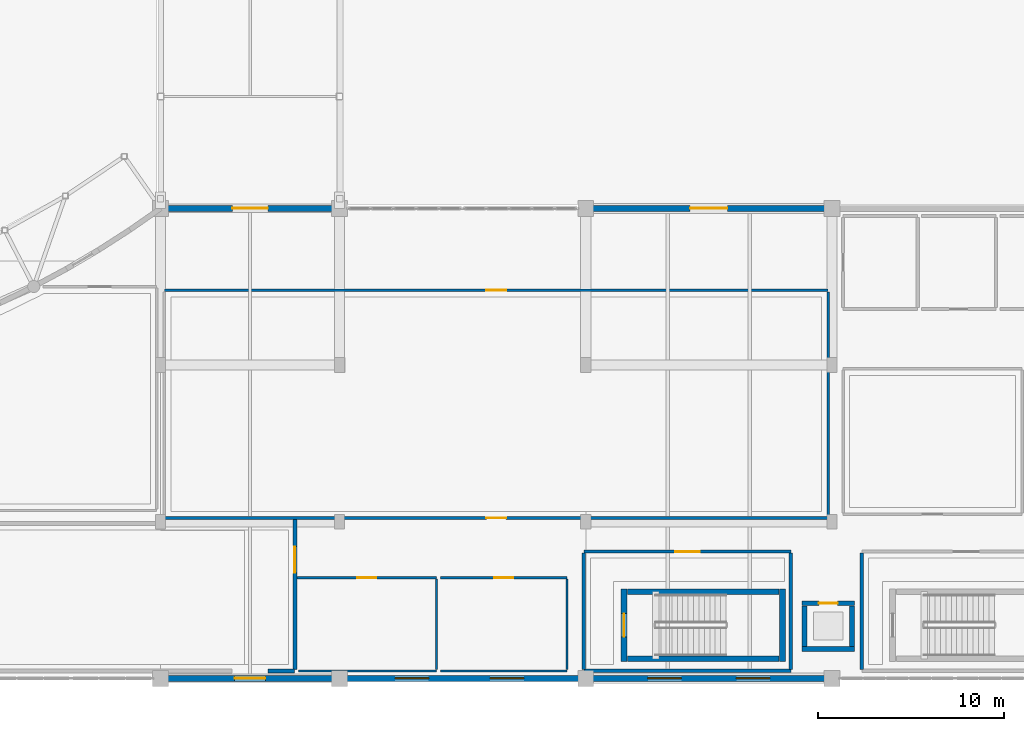
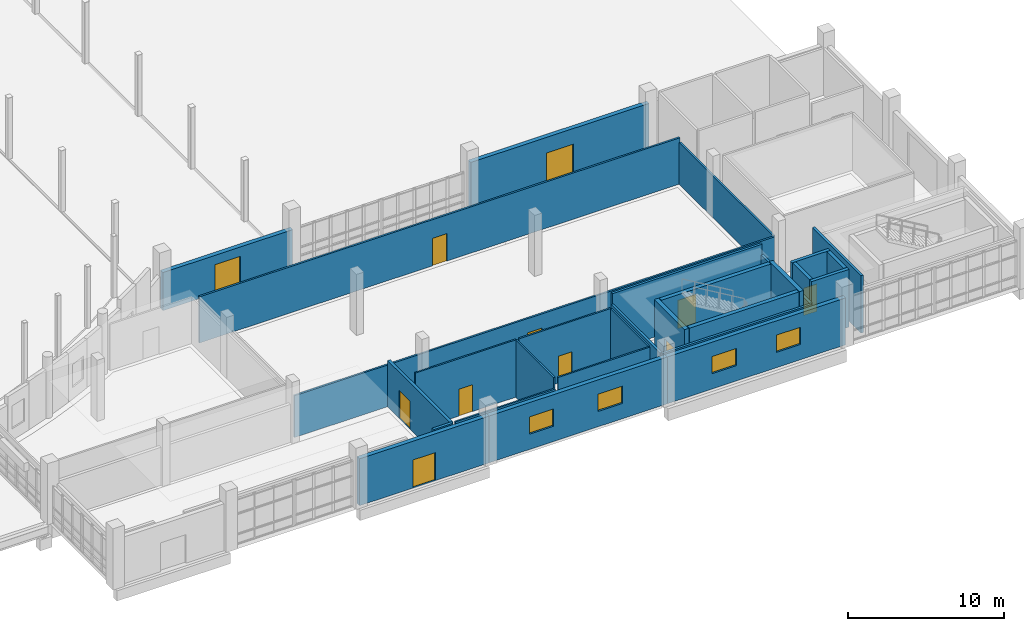
# One storey, part 70 of 97: 29 walls, 11 doors, 4 windows, 15 openings.
"""IFC4 building model written with IfcOpenShell, lengths in metres."""

from ifc_helpers import new_model, si_unit, direction, frame, frame_2d, origin, place, context, subcontext, project, spatial, rectangle, extrude, material, layer, layer_set, type_object, element, fill, save


model = new_model("IFC4")

# Units and contexts
model_context = context("Model", 3, precision=1e-05, world=origin(), true_north=direction((0.0, 1.0)))
body_context = subcontext(model_context, "Body", "Model", "MODEL_VIEW")
ifc_project = project(units=[si_unit("LENGTHUNIT", "METRE"), si_unit("AREAUNIT", "SQUARE_METRE"), si_unit("VOLUMEUNIT", "CUBIC_METRE"), si_unit("PLANEANGLEUNIT", "RADIAN"), si_unit("MASSUNIT", "GRAM", prefix="KILO")], contexts=[model_context])

# Site, building, storey
site_placement = place(None, origin())
site = spatial("IfcSite", under=ifc_project, at=site_placement, CompositionType="ELEMENT")
building_placement = place(site_placement, origin())
building = spatial("IfcBuilding", under=site, at=building_placement, Name="Kisaragi Civic Commons", CompositionType="ELEMENT")
storey_placement = place(building_placement, origin())
storey = spatial("IfcBuildingStorey", under=building, at=storey_placement, Name="L00", CompositionType="ELEMENT", Elevation=0.0)

# Wall, opening, door
ifc_material_1 = material(Name="Insulated Tokoname terracotta cavity wall", Category="masonry")
ifc_layer_1 = layer(ifc_material_1, 0.320068359375, Name="Insulated Tokoname terracotta cavity wall", Category="masonry")
ifc_layer_set_1 = layer_set([ifc_layer_1], Name="Insulated Tokoname terracotta cavity wall")
wall_type_1 = type_object("IfcWallType", Name="EW-01", PredefinedType="STANDARD", material=ifc_layer_set_1)
wall_1_placement = place(storey_placement, frame((123.60009765625, 25.199951171875, 0.0), z_axis=(0.0, 0.0, 1.0), x_axis=(1.0, 0.0, 0.0)))
wall_1 = element("IfcWall", 1, at=wall_1_placement, inside=storey, type_object=wall_type_1, Name="V3 L00 exterior terracotta wall EW-01 249", PredefinedType="STANDARD", context=body_context, shape_type="SweptSolid", body=[
    extrude(rectangle(XDim=9.599853515625, YDim=0.320068359375, at=frame_2d((4.7998046875, 0.0))), origin(), (0.0, 0.0, 1.0), 2.97998046875),
])
opening_1_placement = place(wall_1_placement, frame((3.85009765625, 0.0, 0.0)))
opening_1 = element("IfcOpeningElement", 2, at=opening_1_placement, cuts=wall_1, Name="Opening ED-F", PredefinedType="OPENING", context=body_context, shape_type="SweptSolid", body=[
    extrude(rectangle(XDim=1.89990234375, YDim=2.25, at=frame_2d((0.949951171875, 1.125))), frame((0.0, 0.169921875, 0.0), z_axis=(0.0, -1.0, 0.0), x_axis=(1.0, 0.0, 0.0)), (0.0, 0.0, 1.0), 0.340087890625),
])
ifc_material_2 = material(Name="Thermally broken anodized aluminium glazed exit door", Category="aluminium")
door_type_1 = type_object("IfcDoorType", Name="ED-F", OperationType="NOTDEFINED", PredefinedType="DOOR", material=ifc_material_2)
door_1_placement = place(opening_1_placement, origin())
door_1 = element("IfcDoor", 3, at=door_1_placement, inside=storey, type_object=door_type_1, Name="Ground exterior exit and veranda door ED-F 12", OperationType="DOUBLE_DOOR_SINGLE_SWING", OverallHeight=2.25, OverallWidth=1.89990234375, PredefinedType="DOOR", context=body_context, shape_type="SweptSolid", body=[
    extrude(rectangle(XDim=1.89990234375, YDim=2.25, at=frame_2d((0.949951171875, 1.125))), frame((0.0, 0.02490234375, 0.0), z_axis=(0.0, -1.0, 0.0), x_axis=(1.0, 0.0, 0.0)), (0.0, 0.0, 1.0), 0.050048828125),
])
fill(opening_1, door_1)

wall_2_placement = place(storey_placement, frame((146.39990234375, 25.199951171875, 0.0), z_axis=(0.0, 0.0, 1.0), x_axis=(1.0, 0.0, 0.0)))
wall_2 = element("IfcWall", 4, at=wall_2_placement, inside=storey, type_object=wall_type_1, Name="V3 L00 exterior terracotta wall EW-01 250", PredefinedType="STANDARD", context=body_context, shape_type="SweptSolid", body=[
    extrude(rectangle(XDim=13.2001953125, YDim=0.320068359375, at=frame_2d((6.60009765625, 0.0))), origin(), (0.0, 0.0, 1.0), 3.6201171875),
])
opening_2_placement = place(wall_2_placement, frame((5.60009765625, 0.0, 0.0)))
opening_2 = element("IfcOpeningElement", 5, at=opening_2_placement, cuts=wall_2, Name="Opening ED-A", PredefinedType="OPENING", context=body_context, shape_type="SweptSolid", body=[
    extrude(rectangle(XDim=2.0, YDim=2.39990234375, at=frame_2d((1.0, 1.199951171875))), frame((0.0, 0.169921875, 0.0), z_axis=(0.0, -1.0, 0.0), x_axis=(1.0, 0.0, 0.0)), (0.0, 0.0, 1.0), 0.340087890625),
])
door_type_2 = type_object("IfcDoorType", Name="ED-A", OperationType="NOTDEFINED", PredefinedType="DOOR", material=ifc_material_2)
door_2_placement = place(opening_2_placement, origin())
door_2 = element("IfcDoor", 6, at=door_2_placement, inside=storey, type_object=door_type_2, Name="Ground exterior exit and veranda door ED-A 13", OperationType="DOUBLE_DOOR_SINGLE_SWING", OverallHeight=2.39990234375, OverallWidth=2.0, PredefinedType="DOOR", context=body_context, shape_type="SweptSolid", body=[
    extrude(rectangle(XDim=2.0, YDim=2.39990234375, at=frame_2d((1.0, 1.199951171875))), frame((0.0, 0.02490234375, 0.0), z_axis=(0.0, -1.0, 0.0), x_axis=(1.0, 0.0, 0.0)), (0.0, 0.0, 1.0), 0.050048828125),
])
fill(opening_2, door_2)

# Wall, openings, windows
wall_3_placement = place(storey_placement, frame((159.60009765625, 0.0, 0.0), z_axis=(0.0, 0.0, 1.0), x_axis=(-1.0, 0.0, 0.0)))
wall_3 = element("IfcWall", 7, at=wall_3_placement, inside=storey, type_object=wall_type_1, Name="V3 L00 exterior terracotta wall EW-01 255", PredefinedType="STANDARD", context=body_context, shape_type="SweptSolid", body=[
    extrude(rectangle(XDim=13.2001953125, YDim=0.320068359375, at=frame_2d((6.60009765625, 0.0))), origin(), (0.0, 0.0, 1.0), 3.669921875),
])
opening_3_placement = place(wall_3_placement, frame((3.323974609375, 0.0, 1.199951171875)))
opening_3 = element("IfcOpeningElement", 8, at=opening_3_placement, cuts=wall_3, Name="Opening W-08", PredefinedType="OPENING", context=body_context, shape_type="SweptSolid", body=[
    extrude(rectangle(XDim=1.800048828125, YDim=1.35009765625, at=frame_2d((0.89990234375, 0.675048828125))), frame((0.0, 0.169921875, 0.0), z_axis=(0.0, -1.0, 0.0), x_axis=(1.0, 0.0, 0.0)), (0.0, 0.0, 1.0), 0.340087890625),
])
opening_4_placement = place(wall_3_placement, frame((8.075927734375, 0.0, 1.199951171875)))
opening_4 = element("IfcOpeningElement", 9, at=opening_4_placement, cuts=wall_3, Name="Opening W-08", PredefinedType="OPENING", context=body_context, shape_type="SweptSolid", body=[
    extrude(rectangle(XDim=1.800048828125, YDim=1.35009765625, at=frame_2d((0.89990234375, 0.675048828125))), frame((0.0, 0.169921875, 0.0), z_axis=(0.0, -1.0, 0.0), x_axis=(1.0, 0.0, 0.0)), (0.0, 0.0, 1.0), 0.340087890625),
])
ifc_material_3 = material(Name="Thermally broken aluminium frame and low-E argon double glazing", Category="aluminium")
window_type = type_object("IfcWindowType", Name="W-08", PartitioningType="SINGLE_PANEL", PredefinedType="WINDOW", material=ifc_material_3)
window_1_placement = place(opening_3_placement, origin())
window_1 = element("IfcWindow", 10, at=window_1_placement, inside=storey, type_object=window_type, Name="V3 L00 window W-08 76", OverallHeight=1.35009765625, OverallWidth=1.800048828125, PartitioningType="SINGLE_PANEL", PredefinedType="WINDOW", context=body_context, shape_type="SweptSolid", body=[
    extrude(rectangle(XDim=1.800048828125, YDim=1.35009765625, at=frame_2d((0.89990234375, 0.675048828125))), frame((0.0, 0.030029296875, 0.0), z_axis=(0.0, -1.0, 0.0), x_axis=(1.0, 0.0, 0.0)), (0.0, 0.0, 1.0), 0.06005859375),
])
fill(opening_3, window_1)
window_2_placement = place(opening_4_placement, origin())
window_2 = element("IfcWindow", 11, at=window_2_placement, inside=storey, type_object=window_type, Name="V3 L00 window W-08 77", OverallHeight=1.35009765625, OverallWidth=1.800048828125, PartitioningType="SINGLE_PANEL", PredefinedType="WINDOW", context=body_context, shape_type="SweptSolid", body=[
    extrude(rectangle(XDim=1.800048828125, YDim=1.35009765625, at=frame_2d((0.89990234375, 0.675048828125))), frame((0.0, 0.030029296875, 0.0), z_axis=(0.0, -1.0, 0.0), x_axis=(1.0, 0.0, 0.0)), (0.0, 0.0, 1.0), 0.06005859375),
])
fill(opening_4, window_2)

wall_4_placement = place(storey_placement, frame((146.39990234375, 0.0, 0.0), z_axis=(0.0, 0.0, 1.0), x_axis=(-1.0, 0.0, 0.0)))
wall_4 = element("IfcWall", 12, at=wall_4_placement, inside=storey, type_object=wall_type_1, Name="V3 L00 exterior terracotta wall EW-01 256", PredefinedType="STANDARD", context=body_context, shape_type="SweptSolid", body=[
    extrude(rectangle(XDim=13.199951171875, YDim=0.320068359375, at=frame_2d((6.60009765625, 0.0))), origin(), (0.0, 0.0, 1.0), 3.669921875),
])
opening_5_placement = place(wall_4_placement, frame((3.323974609375, 0.0, 1.199951171875)))
opening_5 = element("IfcOpeningElement", 13, at=opening_5_placement, cuts=wall_4, Name="Opening W-08", PredefinedType="OPENING", context=body_context, shape_type="SweptSolid", body=[
    extrude(rectangle(XDim=1.800048828125, YDim=1.35009765625, at=frame_2d((0.89990234375, 0.675048828125))), frame((0.0, 0.169921875, 0.0), z_axis=(0.0, -1.0, 0.0), x_axis=(1.0, 0.0, 0.0)), (0.0, 0.0, 1.0), 0.340087890625),
])
opening_6_placement = place(wall_4_placement, frame((8.426025390625, 0.0, 1.199951171875)))
opening_6 = element("IfcOpeningElement", 14, at=opening_6_placement, cuts=wall_4, Name="Opening W-08", PredefinedType="OPENING", context=body_context, shape_type="SweptSolid", body=[
    extrude(rectangle(XDim=1.800048828125, YDim=1.35009765625, at=frame_2d((0.89990234375, 0.675048828125))), frame((0.0, 0.169921875, 0.0), z_axis=(0.0, -1.0, 0.0), x_axis=(1.0, 0.0, 0.0)), (0.0, 0.0, 1.0), 0.340087890625),
])
window_3_placement = place(opening_5_placement, origin())
window_3 = element("IfcWindow", 15, at=window_3_placement, inside=storey, type_object=window_type, Name="V3 L00 window W-08 78", OverallHeight=1.35009765625, OverallWidth=1.800048828125, PartitioningType="SINGLE_PANEL", PredefinedType="WINDOW", context=body_context, shape_type="SweptSolid", body=[
    extrude(rectangle(XDim=1.800048828125, YDim=1.35009765625, at=frame_2d((0.89990234375, 0.675048828125))), frame((0.0, 0.030029296875, 0.0), z_axis=(0.0, -1.0, 0.0), x_axis=(1.0, 0.0, 0.0)), (0.0, 0.0, 1.0), 0.06005859375),
])
fill(opening_5, window_3)
window_4_placement = place(opening_6_placement, origin())
window_4 = element("IfcWindow", 16, at=window_4_placement, inside=storey, type_object=window_type, Name="V3 L00 window W-08 79", OverallHeight=1.35009765625, OverallWidth=1.800048828125, PartitioningType="SINGLE_PANEL", PredefinedType="WINDOW", context=body_context, shape_type="SweptSolid", body=[
    extrude(rectangle(XDim=1.800048828125, YDim=1.35009765625, at=frame_2d((0.89990234375, 0.675048828125))), frame((0.0, 0.030029296875, 0.0), z_axis=(0.0, -1.0, 0.0), x_axis=(1.0, 0.0, 0.0)), (0.0, 0.0, 1.0), 0.06005859375),
])
fill(opening_6, window_4)

# Wall, opening, door
wall_5_placement = place(storey_placement, frame((133.199951171875, 0.0, 0.0), z_axis=(0.0, 0.0, 1.0), x_axis=(-1.0, 0.0, 0.0)))
wall_5 = element("IfcWall", 17, at=wall_5_placement, inside=storey, type_object=wall_type_1, Name="V3 L00 exterior terracotta wall EW-01 257", PredefinedType="STANDARD", context=body_context, shape_type="SweptSolid", body=[
    extrude(rectangle(XDim=9.599853515625, YDim=0.320068359375, at=frame_2d((4.7998046875, 0.0))), origin(), (0.0, 0.0, 1.0), 3.669921875),
])
opening_7_placement = place(wall_5_placement, frame((3.97509765625, 0.0, 0.0)))
opening_7 = element("IfcOpeningElement", 18, at=opening_7_placement, cuts=wall_5, Name="Opening ED-D", PredefinedType="OPENING", context=body_context, shape_type="SweptSolid", body=[
    extrude(rectangle(XDim=1.64990234375, YDim=2.199951171875, at=frame_2d((0.824951171875, 1.10009765625))), frame((0.0, 0.169921875, 0.0), z_axis=(0.0, -1.0, 0.0), x_axis=(1.0, 0.0, 0.0)), (0.0, 0.0, 1.0), 0.340087890625),
])
door_type_3 = type_object("IfcDoorType", Name="ED-D", OperationType="NOTDEFINED", PredefinedType="DOOR", material=ifc_material_2)
door_3_placement = place(opening_7_placement, origin())
door_3 = element("IfcDoor", 19, at=door_3_placement, inside=storey, type_object=door_type_3, Name="Ground exterior exit and veranda door ED-D 14", OperationType="DOUBLE_DOOR_SINGLE_SWING", OverallHeight=2.199951171875, OverallWidth=1.64990234375, PredefinedType="DOOR", context=body_context, shape_type="SweptSolid", body=[
    extrude(rectangle(XDim=1.64990234375, YDim=2.199951171875, at=frame_2d((0.824951171875, 1.10009765625))), frame((0.0, 0.02490234375, 0.0), z_axis=(0.0, -1.0, 0.0), x_axis=(1.0, 0.0, 0.0)), (0.0, 0.0, 1.0), 0.050048828125),
])
fill(opening_7, door_3)

ifc_material_4 = material(Name="Fire-rated double gypsum board on steel studs with mineral wool", Category="steel")
ifc_layer_2 = layer(ifc_material_4, 0.177978515625, Name="Fire-rated double gypsum board on steel studs with mineral wool", Category="steel")
ifc_layer_set_2 = layer_set([ifc_layer_2], Name="Fire-rated double gypsum board on steel studs with mineral wool")
wall_type_2 = type_object("IfcWallType", Name="FW-02", PredefinedType="STANDARD", material=ifc_layer_set_2)
wall_6_placement = place(storey_placement, frame((146.304931640625, 6.800048828125, 0.0), z_axis=(0.0, 0.0, 1.0), x_axis=(1.0, 0.0, 0.0)))
wall_6 = element("IfcWall", 20, at=wall_6_placement, inside=storey, type_object=wall_type_2, Name="L00 D0-13 partition FW-02 36", PredefinedType="STANDARD", context=body_context, shape_type="SweptSolid", body=[
    extrude(rectangle(XDim=11.090087890625, YDim=0.177978515625, at=frame_2d((5.544921875, 0.0))), origin(), (0.0, 0.0, 1.0), 4.489990234375),
])
opening_8_placement = place(wall_6_placement, frame((4.885009765625, 0.0, 0.0)))
opening_8 = element("IfcOpeningElement", 21, at=opening_8_placement, cuts=wall_6, Name="Opening FD-04", PredefinedType="OPENING", context=body_context, shape_type="SweptSolid", body=[
    extrude(rectangle(XDim=1.320068359375, YDim=2.219970703125, at=frame_2d((0.66015625, 1.10986328125))), frame((0.0, 0.098876953125, 0.0), z_axis=(0.0, -1.0, 0.0), x_axis=(1.0, 0.0, 0.0)), (0.0, 0.0, 1.0), 0.197998046875),
])
ifc_material_5 = material(Name="Insulated fire-rated pressed steel door assembly", Category="steel")
door_type_4 = type_object("IfcDoorType", Name="FD-04", OperationType="NOTDEFINED", PredefinedType="DOOR", material=ifc_material_5)
door_4_placement = place(opening_8_placement, origin())
door_4 = element("IfcDoor", 22, at=door_4_placement, inside=storey, type_object=door_type_4, Name="Stair Exit Lobby South-West door FD-04", OperationType="DOUBLE_DOOR_SINGLE_SWING", OverallHeight=2.219970703125, OverallWidth=1.320068359375, PredefinedType="DOOR", context=body_context, shape_type="SweptSolid", body=[
    extrude(rectangle(XDim=1.320068359375, YDim=2.219970703125, at=frame_2d((0.66015625, 1.10986328125))), frame((0.0, 0.02490234375, 0.0), z_axis=(0.0, -1.0, 0.0), x_axis=(1.0, 0.0, 0.0)), (0.0, 0.0, 1.0), 0.050048828125),
])
fill(opening_8, door_4)

# Walls
wall_7_placement = place(storey_placement, frame((157.39990234375, 6.72509765625, 0.0), z_axis=(0.0, 0.0, 1.0), x_axis=(0.0, -1.0, 0.0)))
element("IfcWall", 23, at=wall_7_placement, inside=storey, type_object=wall_type_2, Name="L00 D0-13 partition FW-02 37", PredefinedType="STANDARD", context=body_context, shape_type="SweptSolid", body=[
    extrude(rectangle(XDim=6.25, YDim=0.177978515625, at=frame_2d((3.125, 0.0))), origin(), (0.0, 0.0, 1.0), 3.669921875),
])
wall_8_placement = place(storey_placement, frame((157.39501953125, 0.39990234375, 0.0), z_axis=(0.0, 0.0, 1.0), x_axis=(-1.0, 0.0, 0.0)))
element("IfcWall", 24, at=wall_8_placement, inside=storey, type_object=wall_type_2, Name="L00 D0-13 partition FW-02 38", PredefinedType="STANDARD", context=body_context, shape_type="SweptSolid", body=[
    extrude(rectangle(XDim=11.090087890625, YDim=0.177978515625, at=frame_2d((5.544921875, 0.0))), origin(), (0.0, 0.0, 1.0), 3.669921875),
])
wall_9_placement = place(storey_placement, frame((146.300048828125, 0.47509765625, 0.0), z_axis=(0.0, 0.0, 1.0), x_axis=(0.0, 1.0, 0.0)))
element("IfcWall", 25, at=wall_9_placement, inside=storey, type_object=wall_type_2, Name="L00 D0-13 partition FW-02 39", PredefinedType="STANDARD", context=body_context, shape_type="SweptSolid", body=[
    extrude(rectangle(XDim=6.25, YDim=0.177978515625, at=frame_2d((3.125, 0.0))), origin(), (0.0, 0.0, 1.0), 3.669921875),
])
wall_10_placement = place(storey_placement, frame((161.199951171875, 0.47509765625, 0.0), z_axis=(0.0, 0.0, 1.0), x_axis=(0.0, 1.0, 0.0)))
element("IfcWall", 26, at=wall_10_placement, inside=storey, type_object=wall_type_2, Name="L00 D0-14 partition FW-02 42", PredefinedType="STANDARD", context=body_context, shape_type="SweptSolid", body=[
    extrude(rectangle(XDim=6.25, YDim=0.177978515625, at=frame_2d((3.125, 0.0))), origin(), (0.0, 0.0, 1.0), 4.489990234375),
])

# Wall, opening, door
ifc_layer_3 = layer(ifc_material_4, 0.218017578125, Name="Fire-rated double gypsum board on steel studs with mineral wool", Category="steel")
ifc_layer_set_3 = layer_set([ifc_layer_3], Name="Fire-rated double gypsum board on steel studs with mineral wool")
wall_type_3 = type_object("IfcWallType", Name="FW-03", PredefinedType="STANDARD", material=ifc_layer_set_3)
wall_11_placement = place(storey_placement, frame((130.800048828125, 8.52294921875, 0.0), z_axis=(0.0, 0.0, 1.0), x_axis=(0.0, -1.0, 0.0)))
wall_11 = element("IfcWall", 27, at=wall_11_placement, inside=storey, type_object=wall_type_3, Name="L00 D0-04 partition FW-03 117", PredefinedType="STANDARD", context=body_context, shape_type="SweptSolid", body=[
    extrude(rectangle(XDim=8.0478515625, YDim=0.218017578125, at=frame_2d((4.02392578125, 0.0))), origin(), (0.0, 0.0, 1.0), 3.6201171875),
])
opening_9_placement = place(wall_11_placement, frame((1.462646484375, 0.0, 0.0)))
opening_9 = element("IfcOpeningElement", 28, at=opening_9_placement, cuts=wall_11, Name="Opening FD-02", PredefinedType="OPENING", context=body_context, shape_type="SweptSolid", body=[
    extrude(rectangle(XDim=1.39990234375, YDim=2.199951171875, at=frame_2d((0.699951171875, 1.10009765625))), frame((0.0, 0.118896484375, 0.0), z_axis=(0.0, -1.0, 0.0), x_axis=(1.0, 0.0, 0.0)), (0.0, 0.0, 1.0), 0.238037109375),
])
door_type_5 = type_object("IfcDoorType", Name="FD-02", OperationType="NOTDEFINED", PredefinedType="DOOR", material=ifc_material_5)
door_5_placement = place(opening_9_placement, origin())
door_5 = element("IfcDoor", 29, at=door_5_placement, inside=storey, type_object=door_type_5, Name="Commercial Kitchen door FD-02", OperationType="DOUBLE_DOOR_SINGLE_SWING", OverallHeight=2.199951171875, OverallWidth=1.39990234375, PredefinedType="DOOR", context=body_context, shape_type="SweptSolid", body=[
    extrude(rectangle(XDim=1.39990234375, YDim=2.199951171875, at=frame_2d((0.699951171875, 1.10009765625))), frame((0.0, 0.02490234375, 0.0), z_axis=(0.0, -1.0, 0.0), x_axis=(1.0, 0.0, 0.0)), (0.0, 0.0, 1.0), 0.050048828125),
])
fill(opening_9, door_5)

# Wall
wall_12_placement = place(storey_placement, frame((130.794921875, 0.39990234375, 0.0), z_axis=(0.0, 0.0, 1.0), x_axis=(-1.0, 0.0, 0.0)))
element("IfcWall", 30, at=wall_12_placement, inside=storey, type_object=wall_type_3, Name="L00 D0-04 partition FW-03 118", PredefinedType="STANDARD", context=body_context, shape_type="SweptSolid", body=[
    extrude(rectangle(XDim=1.4248046875, YDim=0.218017578125, at=frame_2d((0.71240234375, 0.0))), origin(), (0.0, 0.0, 1.0), 3.669921875),
])

# Wall, opening, door
ifc_material_6 = material(Name="Acoustic gypsum board on light-gauge steel studs", Category="steel")
ifc_layer_4 = layer(ifc_material_6, 0.137939453125, Name="Acoustic gypsum board on light-gauge steel studs", Category="steel")
ifc_layer_set_4 = layer_set([ifc_layer_4], Name="Acoustic gypsum board on light-gauge steel studs")
wall_type_4 = type_object("IfcWallType", Name="IW-02", PredefinedType="STANDARD", material=ifc_layer_set_4)
wall_13_placement = place(storey_placement, frame((159.39501953125, 8.60009765625, 0.0), z_axis=(0.0, 0.0, 1.0), x_axis=(-1.0, 0.0, 0.0)))
wall_13 = element("IfcWall", 31, at=wall_13_placement, inside=storey, type_object=wall_type_4, Name="L00 D0-01 partition IW-02 113", PredefinedType="STANDARD", context=body_context, shape_type="SweptSolid", body=[
    extrude(rectangle(XDim=35.590087890625, YDim=0.137939453125, at=frame_2d((17.794921875, 0.0))), origin(), (0.0, 0.0, 1.0), 3.27001953125),
])
opening_10_placement = place(wall_13_placement, frame((17.27001953125, 0.0, 0.0)))
opening_10 = element("IfcOpeningElement", 32, at=opening_10_placement, cuts=wall_13, Name="Opening ID-03", PredefinedType="OPENING", context=body_context, shape_type="SweptSolid", body=[
    extrude(rectangle(XDim=1.050048828125, YDim=2.14990234375, at=frame_2d((0.52490234375, 1.074951171875))), frame((0.0, 0.078857421875, 0.0), z_axis=(0.0, -1.0, 0.0), x_axis=(1.0, 0.0, 0.0)), (0.0, 0.0, 1.0), 0.157958984375),
])
ifc_material_7 = material(Name="Solid-core Japanese ash acoustic flush timber leaf in steel frame", Category="steel")
door_type_6 = type_object("IfcDoorType", Name="ID-03", OperationType="NOTDEFINED", PredefinedType="DOOR", material=ifc_material_7)
door_6_placement = place(opening_10_placement, origin())
door_6 = element("IfcDoor", 33, at=door_6_placement, inside=storey, type_object=door_type_6, Name="Dining Hall door ID-03", OperationType="SINGLE_SWING_RIGHT", OverallHeight=2.14990234375, OverallWidth=1.050048828125, PredefinedType="DOOR", context=body_context, shape_type="SweptSolid", body=[
    extrude(rectangle(XDim=1.050048828125, YDim=2.14990234375, at=frame_2d((0.52490234375, 1.074951171875))), frame((0.0, 0.02490234375, 0.0), z_axis=(0.0, -1.0, 0.0), x_axis=(1.0, 0.0, 0.0)), (0.0, 0.0, 1.0), 0.050048828125),
])
fill(opening_10, door_6)

wall_14_placement = place(storey_placement, frame((123.804931640625, 20.800048828125, 0.0), z_axis=(0.0, 0.0, 1.0), x_axis=(1.0, 0.0, 0.0)))
wall_14 = element("IfcWall", 34, at=wall_14_placement, inside=storey, type_object=wall_type_4, Name="L00 D0-01 partition IW-02 115", PredefinedType="STANDARD", context=body_context, shape_type="SweptSolid", body=[
    extrude(rectangle(XDim=35.590087890625, YDim=0.137939453125, at=frame_2d((17.794921875, 0.0))), origin(), (0.0, 0.0, 1.0), 3.6201171875),
])
opening_11_placement = place(wall_14_placement, frame((17.27001953125, 0.0, 0.0)))
opening_11 = element("IfcOpeningElement", 35, at=opening_11_placement, cuts=wall_14, Name="Opening ID-03", PredefinedType="OPENING", context=body_context, shape_type="SweptSolid", body=[
    extrude(rectangle(XDim=1.050048828125, YDim=2.14990234375, at=frame_2d((0.52490234375, 1.074951171875))), frame((0.0, 0.078857421875, 0.0), z_axis=(0.0, -1.0, 0.0), x_axis=(1.0, 0.0, 0.0)), (0.0, 0.0, 1.0), 0.157958984375),
])
door_7_placement = place(opening_11_placement, origin())
door_7 = element("IfcDoor", 36, at=door_7_placement, inside=storey, type_object=door_type_6, Name="Dining Hall door ID-03", OperationType="SINGLE_SWING_LEFT", OverallHeight=2.14990234375, OverallWidth=1.050048828125, PredefinedType="DOOR", context=body_context, shape_type="SweptSolid", body=[
    extrude(rectangle(XDim=1.050048828125, YDim=2.14990234375, at=frame_2d((0.52490234375, 1.074951171875))), frame((0.0, 0.02490234375, 0.0), z_axis=(0.0, -1.0, 0.0), x_axis=(1.0, 0.0, 0.0)), (0.0, 0.0, 1.0), 0.050048828125),
])
fill(opening_11, door_7)

# Walls
wall_15_placement = place(storey_placement, frame((159.39990234375, 20.72509765625, 0.0), z_axis=(0.0, 0.0, 1.0), x_axis=(0.0, -1.0, 0.0)))
element("IfcWall", 37, at=wall_15_placement, inside=storey, type_object=wall_type_4, Name="L00 D0-01 partition IW-02 116", PredefinedType="STANDARD", context=body_context, shape_type="SweptSolid", body=[
    extrude(rectangle(XDim=12.050048828125, YDim=0.137939453125, at=frame_2d((6.02490234375, 0.0))), origin(), (0.0, 0.0, 1.0), 3.27001953125),
])
ifc_layer_5 = layer(ifc_material_6, 0.1201171875, Name="Acoustic gypsum board on light-gauge steel studs", Category="steel")
ifc_layer_set_5 = layer_set([ifc_layer_5], Name="Acoustic gypsum board on light-gauge steel studs")
wall_type_5 = type_object("IfcWallType", Name="IW-04", PredefinedType="STANDARD", material=ifc_layer_set_5)
wall_16_placement = place(storey_placement, frame((138.39990234375, 5.324951171875, 0.0), z_axis=(0.0, 0.0, 1.0), x_axis=(0.0, -1.0, 0.0)))
element("IfcWall", 38, at=wall_16_placement, inside=storey, type_object=wall_type_5, Name="L00 D0-05 partition IW-04 123", PredefinedType="STANDARD", context=body_context, shape_type="SweptSolid", body=[
    extrude(rectangle(XDim=4.849853515625, YDim=0.1201171875, at=frame_2d((2.4248046875, 0.0))), origin(), (0.0, 0.0, 1.0), 4.489990234375),
])
wall_17_placement = place(storey_placement, frame((138.39501953125, 0.39990234375, 0.0), z_axis=(0.0, 0.0, 1.0), x_axis=(-1.0, 0.0, 0.0)))
element("IfcWall", 39, at=wall_17_placement, inside=storey, type_object=wall_type_5, Name="L00 D0-05 partition IW-04 124", PredefinedType="STANDARD", context=body_context, shape_type="SweptSolid", body=[
    extrude(rectangle(XDim=7.39013671875, YDim=0.1201171875, at=frame_2d((3.695068359375, 0.0))), origin(), (0.0, 0.0, 1.0), 3.669921875),
])

# Wall, opening, door
wall_18_placement = place(storey_placement, frame((130.9169921875, 5.39990234375, 0.0), z_axis=(0.0, 0.0, 1.0), x_axis=(1.0, 0.0, 0.0)))
wall_18 = element("IfcWall", 40, at=wall_18_placement, inside=storey, type_object=wall_type_5, Name="L00 D0-05 partition IW-04 125", PredefinedType="STANDARD", context=body_context, shape_type="SweptSolid", body=[
    extrude(rectangle(XDim=7.47802734375, YDim=0.1201171875, at=frame_2d((3.739013671875, 0.0))), origin(), (0.0, 0.0, 1.0), 4.489990234375),
])
opening_12_placement = place(wall_18_placement, frame((3.239013671875, 0.0, 0.0)))
opening_12 = element("IfcOpeningElement", 41, at=opening_12_placement, cuts=wall_18, Name="Opening ID-09", PredefinedType="OPENING", context=body_context, shape_type="SweptSolid", body=[
    extrude(rectangle(XDim=1.0, YDim=2.10009765625, at=frame_2d((0.5, 1.050048828125))), frame((0.0, 0.070068359375, 0.0), z_axis=(0.0, -1.0, 0.0), x_axis=(1.0, 0.0, 0.0)), (0.0, 0.0, 1.0), 0.14013671875),
])
door_type_7 = type_object("IfcDoorType", Name="ID-09", OperationType="NOTDEFINED", PredefinedType="DOOR", material=ifc_material_7)
door_8_placement = place(opening_12_placement, origin())
door_8 = element("IfcDoor", 42, at=door_8_placement, inside=storey, type_object=door_type_7, Name="Cold Store door ID-09", OperationType="SINGLE_SWING_RIGHT", OverallHeight=2.10009765625, OverallWidth=1.0, PredefinedType="DOOR", context=body_context, shape_type="SweptSolid", body=[
    extrude(rectangle(XDim=1.0, YDim=2.10009765625, at=frame_2d((0.5, 1.050048828125))), frame((0.0, 0.02490234375, 0.0), z_axis=(0.0, -1.0, 0.0), x_axis=(1.0, 0.0, 0.0)), (0.0, 0.0, 1.0), 0.050048828125),
])
fill(opening_12, door_8)

# Walls
wall_19_placement = place(storey_placement, frame((145.39990234375, 5.324951171875, 0.0), z_axis=(0.0, 0.0, 1.0), x_axis=(0.0, -1.0, 0.0)))
element("IfcWall", 43, at=wall_19_placement, inside=storey, type_object=wall_type_5, Name="L00 D0-06 partition IW-04 126", PredefinedType="STANDARD", context=body_context, shape_type="SweptSolid", body=[
    extrude(rectangle(XDim=4.849853515625, YDim=0.1201171875, at=frame_2d((2.4248046875, 0.0))), origin(), (0.0, 0.0, 1.0), 4.489990234375),
])
wall_20_placement = place(storey_placement, frame((145.39501953125, 0.39990234375, 0.0), z_axis=(0.0, 0.0, 1.0), x_axis=(-1.0, 0.0, 0.0)))
element("IfcWall", 44, at=wall_20_placement, inside=storey, type_object=wall_type_5, Name="L00 D0-06 partition IW-04 127", PredefinedType="STANDARD", context=body_context, shape_type="SweptSolid", body=[
    extrude(rectangle(XDim=6.7900390625, YDim=0.1201171875, at=frame_2d((3.39501953125, 0.0))), origin(), (0.0, 0.0, 1.0), 4.489990234375),
])

# Wall, opening, door
wall_21_placement = place(storey_placement, frame((138.60498046875, 5.39990234375, 0.0), z_axis=(0.0, 0.0, 1.0), x_axis=(1.0, 0.0, 0.0)))
wall_21 = element("IfcWall", 45, at=wall_21_placement, inside=storey, type_object=wall_type_5, Name="L00 D0-06 partition IW-04 128", PredefinedType="STANDARD", context=body_context, shape_type="SweptSolid", body=[
    extrude(rectangle(XDim=6.7900390625, YDim=0.1201171875, at=frame_2d((3.39501953125, 0.0))), origin(), (0.0, 0.0, 1.0), 4.489990234375),
])
opening_13_placement = place(wall_21_placement, frame((2.89501953125, 0.0, 0.0)))
opening_13 = element("IfcOpeningElement", 46, at=opening_13_placement, cuts=wall_21, Name="Opening ID-09", PredefinedType="OPENING", context=body_context, shape_type="SweptSolid", body=[
    extrude(rectangle(XDim=1.0, YDim=2.10009765625, at=frame_2d((0.5, 1.050048828125))), frame((0.0, 0.070068359375, 0.0), z_axis=(0.0, -1.0, 0.0), x_axis=(1.0, 0.0, 0.0)), (0.0, 0.0, 1.0), 0.14013671875),
])
door_9_placement = place(opening_13_placement, origin())
door_9 = element("IfcDoor", 47, at=door_9_placement, inside=storey, type_object=door_type_7, Name="Dry Store door ID-09", OperationType="SINGLE_SWING_LEFT", OverallHeight=2.10009765625, OverallWidth=1.0, PredefinedType="DOOR", context=body_context, shape_type="SweptSolid", body=[
    extrude(rectangle(XDim=1.0, YDim=2.10009765625, at=frame_2d((0.5, 1.050048828125))), frame((0.0, 0.02490234375, 0.0), z_axis=(0.0, -1.0, 0.0), x_axis=(1.0, 0.0, 0.0)), (0.0, 0.0, 1.0), 0.050048828125),
])
fill(opening_13, door_9)

ifc_material_8 = material(Name="Concrete Fc36", Category="concrete")
ifc_layer_6 = layer(ifc_material_8, 0.300048828125, Name="Concrete Fc36", Category="concrete")
ifc_layer_set_6 = layer_set([ifc_layer_6], Name="Concrete Fc36")
wall_type_6 = type_object("IfcWallType", Name="SW-01", PredefinedType="SHEAR", material=ifc_layer_set_6)
wall_22_placement = place(storey_placement, frame((148.449951171875, 4.800048828125, 0.0), z_axis=(0.0, 0.0, 1.0), x_axis=(0.0, -1.0, 0.0)))
wall_22 = element("IfcWall", 48, at=wall_22_placement, inside=storey, type_object=wall_type_6, Name="ST-D1 L00 entry RC shear wall", PredefinedType="SHEAR", context=body_context, shape_type="SweptSolid", body=[
    extrude(rectangle(XDim=3.900146484375, YDim=0.300048828125, at=frame_2d((1.9501953125, 0.0))), origin(), (0.0, 0.0, 1.0), 4.4951171875),
])
opening_14_placement = place(wall_22_placement, frame((1.324951171875, 0.0, 0.0)))
opening_14 = element("IfcOpeningElement", 49, at=opening_14_placement, cuts=wall_22, Name="Opening SD-01", PredefinedType="OPENING", context=body_context, shape_type="SweptSolid", body=[
    extrude(rectangle(XDim=1.25, YDim=2.199951171875, at=frame_2d((0.625, 1.10009765625))), frame((0.0, 0.159912109375, 0.0), z_axis=(0.0, -1.0, 0.0), x_axis=(1.0, 0.0, 0.0)), (0.0, 0.0, 1.0), 0.320068359375),
])
door_type_8 = type_object("IfcDoorType", Name="SD-01", OperationType="NOTDEFINED", PredefinedType="DOOR", material=ifc_material_5)
door_10_placement = place(opening_14_placement, frame((1.25, 0.0, 0.0), z_axis=(0.0, 0.0, 1.0), x_axis=(-1.0, 0.0, 0.0)))
door_10 = element("IfcDoor", 50, at=door_10_placement, inside=storey, type_object=door_type_8, Name="ST-D1 L00 stair fire door 33", OperationType="SINGLE_SWING_LEFT", OverallHeight=2.199951171875, OverallWidth=1.25, PredefinedType="DOOR", context=body_context, shape_type="SweptSolid", body=[
    extrude(rectangle(XDim=1.25, YDim=2.199951171875, at=frame_2d((0.625, 1.10009765625))), frame((0.0, 0.02490234375, 0.0), z_axis=(0.0, -1.0, 0.0), x_axis=(1.0, 0.0, 0.0)), (0.0, 0.0, 1.0), 0.050048828125),
])
fill(opening_14, door_10)

# Walls
wall_23_placement = place(storey_placement, frame((148.64990234375, 1.050048828125, 0.0), z_axis=(0.0, 0.0, 1.0), x_axis=(1.0, 0.0, 0.0)))
element("IfcWall", 51, at=wall_23_placement, inside=storey, type_object=wall_type_6, Name="ST-D1 L00 right RC shear wall", PredefinedType="SHEAR", context=body_context, shape_type="SweptSolid", body=[
    extrude(rectangle(XDim=8.10009765625, YDim=0.300048828125, at=frame_2d((4.050048828125, 0.0))), origin(), (0.0, 0.0, 1.0), 4.4951171875),
])
wall_24_placement = place(storey_placement, frame((156.949951171875, 0.89990234375, 0.0), z_axis=(0.0, 0.0, 1.0), x_axis=(0.0, 1.0, 0.0)))
element("IfcWall", 52, at=wall_24_placement, inside=storey, type_object=wall_type_6, Name="ST-D1 L00 far RC shear wall", PredefinedType="SHEAR", context=body_context, shape_type="SweptSolid", body=[
    extrude(rectangle(XDim=3.900146484375, YDim=0.300048828125, at=frame_2d((1.9501953125, 0.0))), origin(), (0.0, 0.0, 1.0), 4.4951171875),
])
wall_25_placement = place(storey_placement, frame((156.75, 4.64990234375, 0.0), z_axis=(0.0, 0.0, 1.0), x_axis=(-1.0, 0.0, 0.0)))
element("IfcWall", 53, at=wall_25_placement, inside=storey, type_object=wall_type_6, Name="ST-D1 L00 left RC shear wall", PredefinedType="SHEAR", context=body_context, shape_type="SweptSolid", body=[
    extrude(rectangle(XDim=8.10009765625, YDim=0.300048828125, at=frame_2d((4.050048828125, 0.0))), origin(), (0.0, 0.0, 1.0), 4.4951171875),
])
ifc_layer_7 = layer(ifc_material_8, 0.25, Name="Concrete Fc36", Category="concrete")
ifc_layer_set_7 = layer_set([ifc_layer_7], Name="Concrete Fc36")
wall_type_7 = type_object("IfcWallType", Name="SW-02", PredefinedType="SHEAR", material=ifc_layer_set_7)
wall_26_placement = place(storey_placement, frame((160.800048828125, 1.574951171875, 0.0), z_axis=(0.0, 0.0, 1.0), x_axis=(-1.0, 0.0, 0.0)))
element("IfcWall", 54, at=wall_26_placement, inside=storey, type_object=wall_type_7, Name="EL-D1 L00 south lift shaft wall", PredefinedType="SHEAR", context=body_context, shape_type="SweptSolid", body=[
    extrude(rectangle(XDim=2.800048828125, YDim=0.25, at=frame_2d((1.39990234375, 0.0))), origin(), (0.0, 0.0, 1.0), 4.52001953125),
])
wall_27_placement = place(storey_placement, frame((158.125, 1.719970703125, 0.0), z_axis=(0.0, 0.0, 1.0), x_axis=(0.0, 1.0, 0.0)))
element("IfcWall", 55, at=wall_27_placement, inside=storey, type_object=wall_type_7, Name="EL-D1 L00 west lift shaft wall", PredefinedType="SHEAR", context=body_context, shape_type="SweptSolid", body=[
    extrude(rectangle(XDim=2.159912109375, YDim=0.25, at=frame_2d((1.080078125, 0.0))), origin(), (0.0, 0.0, 1.0), 4.52001953125),
])

# Wall, opening, door
wall_28_placement = place(storey_placement, frame((158.0, 4.02490234375, 0.0), z_axis=(0.0, 0.0, 1.0), x_axis=(1.0, 0.0, 0.0)))
wall_28 = element("IfcWall", 56, at=wall_28_placement, inside=storey, type_object=wall_type_7, Name="EL-D1 L00 north lift shaft wall", PredefinedType="SHEAR", context=body_context, shape_type="SweptSolid", body=[
    extrude(rectangle(XDim=2.800048828125, YDim=0.25, at=frame_2d((1.39990234375, 0.0))), origin(), (0.0, 0.0, 1.0), 4.52001953125),
])
opening_15_placement = place(wall_28_placement, frame((0.89990234375, 0.0, 0.0)))
opening_15 = element("IfcOpeningElement", 57, at=opening_15_placement, cuts=wall_28, Name="Opening LD-02", PredefinedType="OPENING", context=body_context, shape_type="SweptSolid", body=[
    extrude(rectangle(XDim=1.0, YDim=2.14990234375, at=frame_2d((0.5, 1.074951171875))), frame((0.0, 0.135009765625, 0.0), z_axis=(0.0, -1.0, 0.0), x_axis=(1.0, 0.0, 0.0)), (0.0, 0.0, 1.0), 0.27001953125),
])
ifc_material_9 = material(Name="Brushed stainless steel bi-parting landing door", Category="steel")
door_type_9 = type_object("IfcDoorType", Name="LD-02", OperationType="NOTDEFINED", PredefinedType="DOOR", material=ifc_material_9)
door_11_placement = place(opening_15_placement, origin())
door_11 = element("IfcDoor", 58, at=door_11_placement, inside=storey, type_object=door_type_9, Name="EL-D1 L00 sliding lift landing door", OperationType="DOUBLE_DOOR_SLIDING", OverallHeight=2.14990234375, OverallWidth=1.0, PredefinedType="DOOR", context=body_context, shape_type="SweptSolid", body=[
    extrude(rectangle(XDim=1.0, YDim=2.14990234375, at=frame_2d((0.5, 1.074951171875))), frame((0.0, 0.02490234375, 0.0), z_axis=(0.0, -1.0, 0.0), x_axis=(1.0, 0.0, 0.0)), (0.0, 0.0, 1.0), 0.050048828125),
])
fill(opening_15, door_11)

# Wall
wall_29_placement = place(storey_placement, frame((160.675048828125, 3.8798828125, 0.0), z_axis=(0.0, 0.0, 1.0), x_axis=(0.0, -1.0, 0.0)))
element("IfcWall", 59, at=wall_29_placement, inside=storey, type_object=wall_type_7, Name="EL-D1 L00 east lift shaft wall", PredefinedType="SHEAR", context=body_context, shape_type="SweptSolid", body=[
    extrude(rectangle(XDim=2.159912109375, YDim=0.25, at=frame_2d((1.080078125, 0.0))), origin(), (0.0, 0.0, 1.0), 4.52001953125),
])

save(model, "model.ifc")
